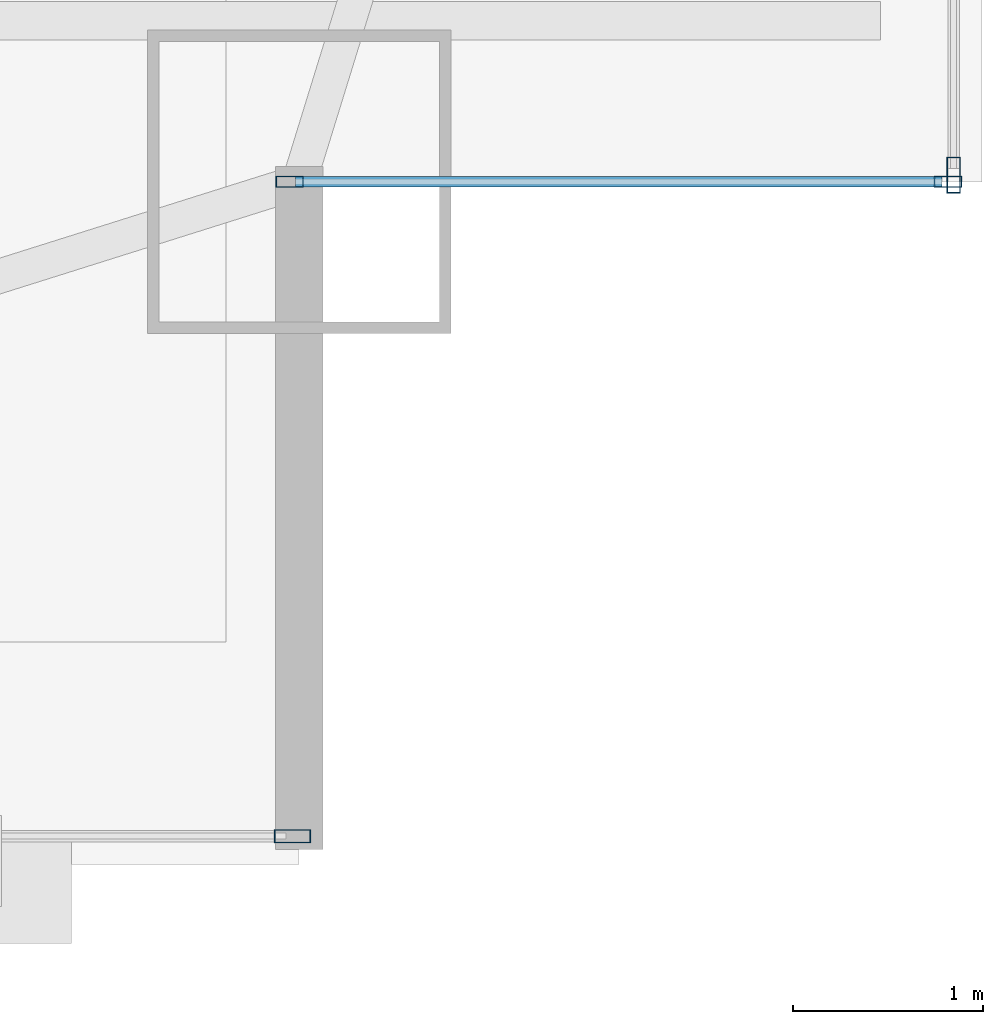
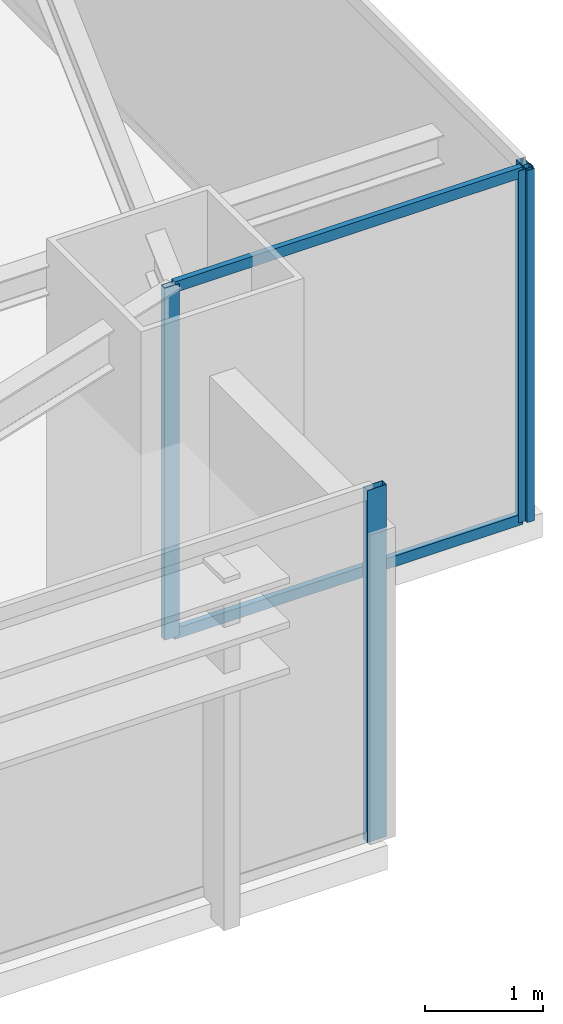
# One storey, part 15 of 32: 6 members, 3 elements without a shape of their own.
"""IFC4 building model written with IfcOpenShell, lengths in metres."""

from ifc_helpers import new_model, si_unit, direction, frame, origin, origin_2d, place, context, subcontext, project, spatial, hollow_rectangle, extrude, source, transform, mapped, material, layer, layer_set, material_profile, profile_set, type_object, type_shapes, element, aggregate, save


model = new_model("IFC4")

# Units and contexts
model_context = context("Model", 3, precision=1e-05, world=origin(), true_north=direction((0.0, 1.0)))
body_context = subcontext(model_context, "Body", "Model", "MODEL_VIEW")
ifc_project = project(units=[si_unit("LENGTHUNIT", "METRE"), si_unit("AREAUNIT", "SQUARE_METRE"), si_unit("VOLUMEUNIT", "CUBIC_METRE"), si_unit("PLANEANGLEUNIT", "RADIAN"), si_unit("MASSUNIT", "GRAM", prefix="KILO")], contexts=[model_context])

# Site, building, storey
site_placement = place(None, origin())
site = spatial("IfcSite", under=ifc_project, at=site_placement, CompositionType="ELEMENT")
building_placement = place(site_placement, origin())
building = spatial("IfcBuilding", under=site, at=building_placement, Name="Varnel Quay Broadcast Tower", CompositionType="ELEMENT")
storey_placement = place(building_placement, frame((0.0, 0.0, 58.800048828125)))
storey = spatial("IfcBuildingStorey", under=building, at=storey_placement, Name="L13", CompositionType="ELEMENT", Elevation=58.800048828125)

# Curtain wall, member
ifc_material = material(Name="Anodised Bronze Aluminium 6063-T6", Category="aluminium")
ifc_layer_1 = layer(ifc_material, 0.18994140625, Name="Anodised Bronze Aluminium 6063-T6")
ifc_layer_set_1 = layer_set([ifc_layer_1], Name="Anodised Bronze Aluminium 6063-T6")
curtain_wall_type_1 = type_object("IfcCurtainWallType", Name="CW_LowerTower", PredefinedType="NOTDEFINED", material=ifc_layer_set_1)
curtain_wall_1_placement = place(storey_placement, origin())
curtain_wall_1 = element("IfcCurtainWall", 1, at=curtain_wall_1_placement, inside=storey, type_object=curtain_wall_type_1, Name="L13 South Unitised Curtain Wall 3", PredefinedType="NOTDEFINED")
ifc_material_profile_1 = material_profile(ifc_material, hollow_rectangle(XDim=0.070068359375, YDim=0.18994140625, WallThickness=0.00390625, at=origin_2d()), Name="ALU70X190X4")
ifc_profile_set_1 = profile_set([ifc_material_profile_1], Name="Anodised Bronze Aluminium 6063-T6")
member_type_1 = type_object("IfcMemberType", Name="Mull_CWS-02", PredefinedType="MULLION", material=ifc_profile_set_1)
shared_shape_1 = source(origin(), body_context, "Body", "SweptSolid", [
    extrude(hollow_rectangle(XDim=0.070068359375, YDim=0.18994140625, WallThickness=0.00390625, at=origin_2d()), origin(), (0.0, 0.0, 1.0), 3.64990234375),
])
type_shapes(member_type_1, [shared_shape_1])
member_1_placement = place(storey_placement, frame((62.364990234375, 1.35009765625, 0.0), z_axis=(0.0, 0.0, 1.0), x_axis=(0.0, 1.0, 0.0)))
member_1 = element("IfcMember", 2, at=member_1_placement, type_object=member_type_1, Name="CWS-02 mullion 2", PredefinedType="MULLION", context=body_context, shape_type="MappedRepresentation", body=[
    mapped(shared_shape_1, transform((0.0, 0.0, 0.0), x_axis=(1.0, 0.0, 0.0), y_axis=(0.0, 1.0, 0.0), z_axis=(0.0, 0.0, 1.0), scale=1.0)),
])
aggregate(curtain_wall_1, [member_1])

curtain_wall_2_placement = place(storey_placement, origin())
curtain_wall_2 = element("IfcCurtainWall", 3, at=curtain_wall_2_placement, inside=storey, type_object=curtain_wall_type_1, Name="L13 East Unitised Curtain Wall", PredefinedType="NOTDEFINED")
member_2_placement = place(storey_placement, frame((65.85009765625, 4.8349609375, 0.0), z_axis=(0.0, 0.0, 1.0), x_axis=(-1.0, 0.0, 0.0)))
member_2 = element("IfcMember", 4, at=member_2_placement, type_object=member_type_1, Name="CWS-02 mullion 1", PredefinedType="MULLION", context=body_context, shape_type="MappedRepresentation", body=[
    mapped(shared_shape_1, transform((0.0, 0.0, 0.0), x_axis=(1.0, 0.0, 0.0), y_axis=(0.0, 1.0, 0.0), z_axis=(0.0, 0.0, 1.0), scale=1.0)),
])
aggregate(curtain_wall_2, [member_2])

# Curtain wall, members
ifc_layer_2 = layer(ifc_material, 0.18994140625, Name="Anodised Bronze Aluminium 6063-T6")
ifc_layer_set_2 = layer_set([ifc_layer_2], Name="Anodised Bronze Aluminium 6063-T6")
curtain_wall_type_2 = type_object("IfcCurtainWallType", Name="CW_NotchCorner", PredefinedType="NOTDEFINED", material=ifc_layer_set_2)
curtain_wall_3_placement = place(storey_placement, origin())
curtain_wall_3 = element("IfcCurtainWall", 5, at=curtain_wall_3_placement, inside=storey, type_object=curtain_wall_type_2, Name="L13 SE Notch Curtain Wall", PredefinedType="NOTDEFINED")
ifc_material_profile_2 = material_profile(ifc_material, hollow_rectangle(XDim=0.06005859375, YDim=0.14501953125, WallThickness=0.00341796875, at=origin_2d()), Name="ALU60X145X3.5")
ifc_profile_set_2 = profile_set([ifc_material_profile_2], Name="Anodised Bronze Aluminium 6063-T6")
member_type_2 = type_object("IfcMemberType", Name="Mull_CWS-04", PredefinedType="MULLION", material=ifc_profile_set_2)
shared_shape_2 = source(origin(), body_context, "Body", "SweptSolid", [
    extrude(hollow_rectangle(XDim=0.06005859375, YDim=0.14501953125, WallThickness=0.00341796875, at=origin_2d()), origin(), (0.0, 0.0, 1.0), 3.64990234375),
])
type_shapes(member_type_2, [shared_shape_2])
member_3_placement = place(storey_placement, frame((62.35009765625, 4.800048828125, 0.0), z_axis=(0.0, 0.0, 1.0), x_axis=(0.0, 1.0, 0.0)))
member_3 = element("IfcMember", 6, at=member_3_placement, type_object=member_type_2, Name="CWS-04 mullion 1", PredefinedType="MULLION", context=body_context, shape_type="MappedRepresentation", body=[
    mapped(shared_shape_2, transform((0.0, 0.0, 0.0), x_axis=(1.0, 0.0, 0.0), y_axis=(0.0, 1.0, 0.0), z_axis=(0.0, 0.0, 1.0), scale=1.0)),
])
member_4_placement = place(storey_placement, frame((65.820068359375, 4.800048828125, 0.0), z_axis=(0.0, 0.0, 1.0), x_axis=(0.0, 1.0, 0.0)))
member_4 = element("IfcMember", 7, at=member_4_placement, type_object=member_type_2, Name="CWS-04 mullion 2", PredefinedType="MULLION", context=body_context, shape_type="MappedRepresentation", body=[
    mapped(shared_shape_2, transform((0.0, 0.0, 0.0), x_axis=(1.0, 0.0, 0.0), y_axis=(0.0, 1.0, 0.0), z_axis=(0.0, 0.0, 1.0), scale=1.0)),
])
ifc_material_profile_3 = material_profile(ifc_material, hollow_rectangle(XDim=0.054931640625, YDim=0.110107421875, WallThickness=0.0029296875, at=origin_2d()), Name="ALU55X110X3")
ifc_profile_set_3 = profile_set([ifc_material_profile_3], Name="Anodised Bronze Aluminium 6063-T6")
member_type_3 = type_object("IfcMemberType", Name="Tran_CWS-04", PredefinedType="USERDEFINED", material=ifc_profile_set_3)
shared_shape_3 = source(origin(), body_context, "Body", "SweptSolid", [
    extrude(hollow_rectangle(XDim=0.054931640625, YDim=0.110107421875, WallThickness=0.0029296875, at=origin_2d()), origin(), (0.0, 0.0, 1.0), 3.41015625),
])
type_shapes(member_type_3, [shared_shape_3])
member_5_placement = place(storey_placement, frame((62.3798828125, 4.800048828125, 0.02734375), z_axis=(1.0, 0.0, 0.0), x_axis=(0.0, 1.0, 0.0)))
member_5 = element("IfcMember", 8, at=member_5_placement, type_object=member_type_3, Name="CWS-04 transom 1.1", ObjectType="TRANSOM", PredefinedType="USERDEFINED", context=body_context, shape_type="MappedRepresentation", body=[
    mapped(shared_shape_3, transform((0.0, 0.0, 0.0), x_axis=(1.0, 0.0, 0.0), y_axis=(0.0, 1.0, 0.0), z_axis=(0.0, 0.0, 1.0), scale=1.0)),
])
member_6_placement = place(storey_placement, frame((62.3798828125, 4.800048828125, 3.62255859375), z_axis=(1.0, 0.0, 0.0), x_axis=(0.0, 1.0, 0.0)))
member_6 = element("IfcMember", 9, at=member_6_placement, type_object=member_type_3, Name="CWS-04 transom 1.2", ObjectType="TRANSOM", PredefinedType="USERDEFINED", context=body_context, shape_type="MappedRepresentation", body=[
    mapped(shared_shape_3, transform((0.0, 0.0, 0.0), x_axis=(1.0, 0.0, 0.0), y_axis=(0.0, 1.0, 0.0), z_axis=(0.0, 0.0, 1.0), scale=1.0)),
])
aggregate(curtain_wall_3, [member_3, member_4, member_5, member_6])

save(model, "model.ifc")
